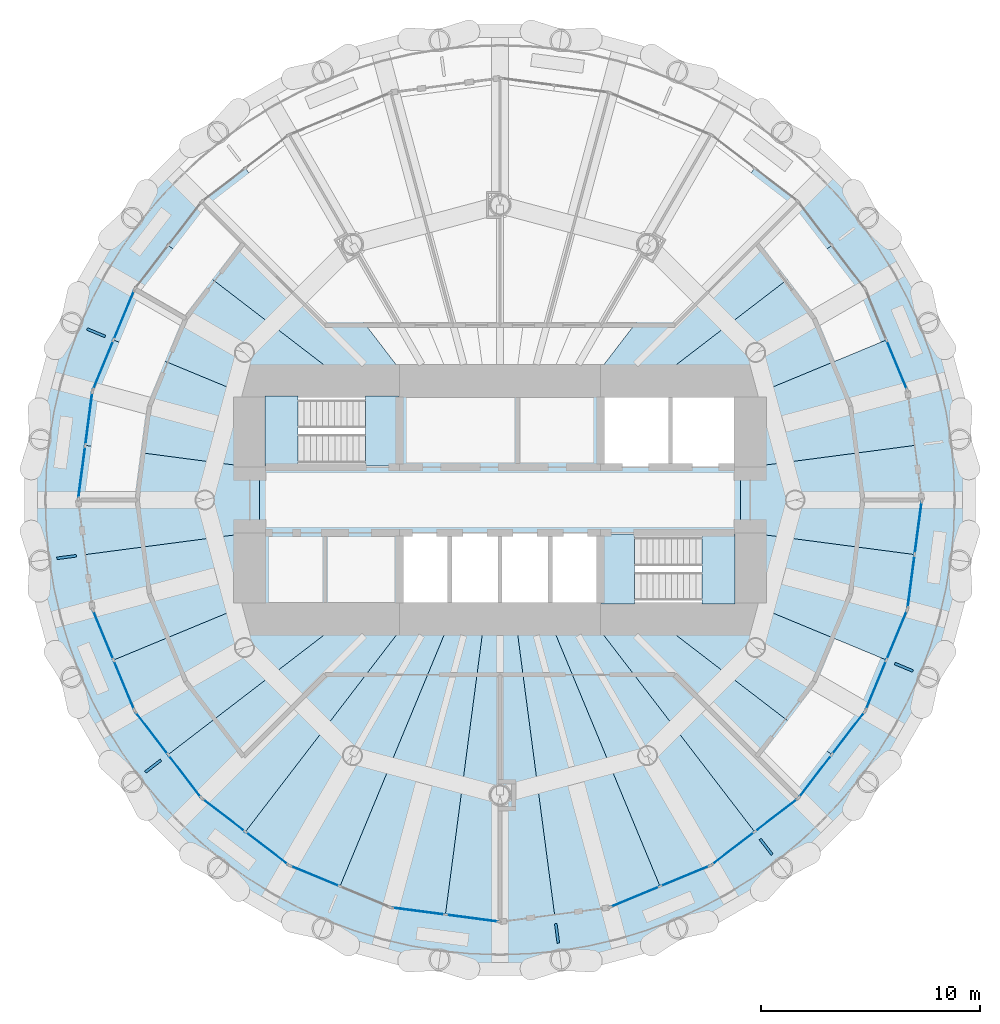
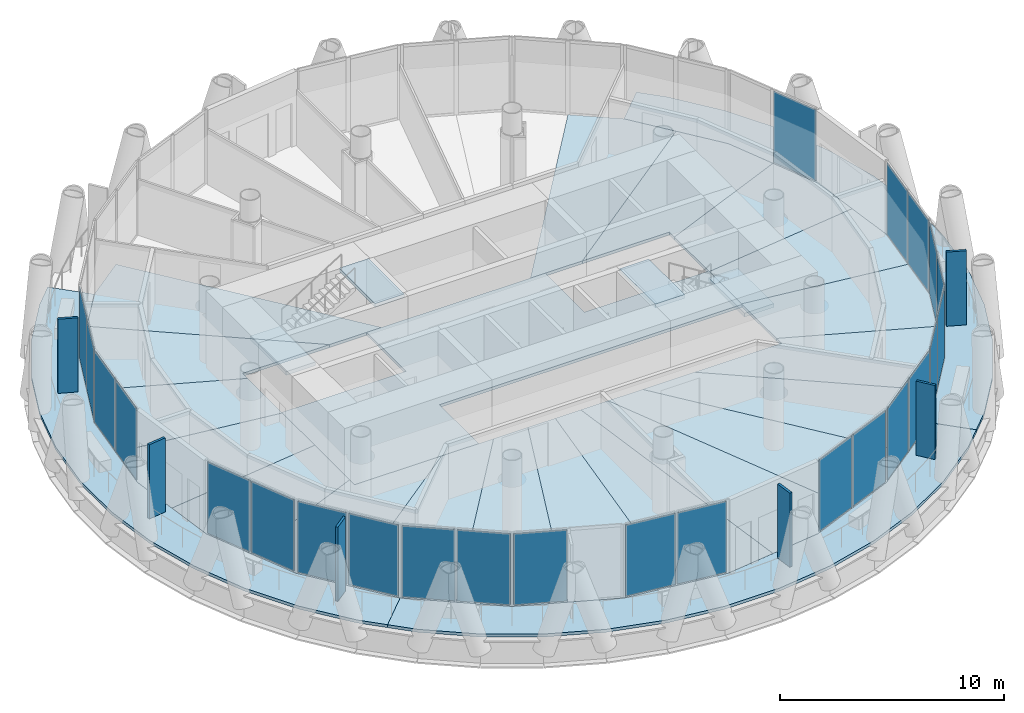
# One storey, part 8 of 15: 30 plates, 27 slabs, 15 elements without a shape of their own.
"""IFC4 building model written with IfcOpenShell, lengths in metres."""

from ifc_helpers import new_model, si_unit, direction, frame, origin, origin_2d, place, context, subcontext, project, spatial, polyline, rectangle, outline, extrude, material, layer, layer_set, type_object, element, aggregate, save


model = new_model("IFC4")

# Units and contexts
model_context = context("Model", 3, precision=1e-05, world=origin(), true_north=direction((0.0, 1.0)))
body_context = subcontext(model_context, "Body", "Model", "MODEL_VIEW")
ifc_project = project(units=[si_unit("LENGTHUNIT", "METRE"), si_unit("AREAUNIT", "SQUARE_METRE"), si_unit("VOLUMEUNIT", "CUBIC_METRE"), si_unit("PLANEANGLEUNIT", "RADIAN"), si_unit("MASSUNIT", "GRAM", prefix="KILO")], contexts=[model_context])

# Site, building, storey
site_placement = place(None, origin())
site = spatial("IfcSite", under=ifc_project, at=site_placement, CompositionType="ELEMENT")
building_placement = place(site_placement, origin())
building = spatial("IfcBuilding", under=site, at=building_placement, Name="Qaws Media Tower", CompositionType="ELEMENT")
storey_placement = place(building_placement, frame((0.0, 0.0, 265.39990234375)))
storey = spatial("IfcBuildingStorey", under=building, at=storey_placement, Name="L61", CompositionType="ELEMENT", Elevation=265.39990234375)

# Slabs
ifc_material_1 = material(Name="Concrete C35/45", Category="concrete")
ifc_layer_1 = layer(ifc_material_1, 0.159912109375)
ifc_layer_set_1 = layer_set([ifc_layer_1], Name="Composite balcony slab 160")
slab_type_1 = type_object("IfcSlabType", Name="Composite balcony slab 160", PredefinedType="FLOOR", material=ifc_layer_set_1)
slab_1_placement = place(storey_placement, frame((0.0, 0.0, -0.159912109375)))
element("IfcSlab", 1, at=slab_1_placement, inside=storey, type_object=slab_type_1, Name="S2 balcony slab L61 R10 to R16, movement joints on R10 and R16", PredefinedType="FLOOR", context=body_context, shape_type="SweptSolid", body=[
    extrude(outline(polyline([(43.83544921875, 35.82421875), (42.123291015625, 38.05517578125), (40.71728515625, 40.49072265625), (39.64111328125, 43.089111328125), (38.9130859375, 45.8056640625), (38.5458984375, 48.59375), (38.5458984375, 51.40625), (38.9130859375, 54.1943359375), (39.64111328125, 56.910888671875), (40.71728515625, 59.50927734375), (42.123291015625, 61.94482421875), (43.83544921875, 64.17578125), (44.829833984375, 65.170166015625), (46.352783203125, 63.647216796875), (43.28564453125, 59.64990234375), (41.357666015625, 54.9951171875), (40.699951171875, 50.0), (41.357666015625, 45.0048828125), (43.28564453125, 40.35009765625), (46.352783203125, 36.352783203125), (44.829833984375, 34.829833984375), (43.83544921875, 35.82421875)])), origin(), (0.0, 0.0, 1.0), 0.159912109375),
])
slab_2_placement = place(storey_placement, frame((0.0, 0.0, -0.159912109375)))
element("IfcSlab", 2, at=slab_2_placement, inside=storey, type_object=slab_type_1, Name="S2 balcony slab L61 R16 to R22, movement joints on R16 and R22", PredefinedType="FLOOR", context=body_context, shape_type="SweptSolid", body=[
    extrude(outline(polyline([(74.17578125, 33.83544921875), (71.94482421875, 32.123291015625), (69.50927734375, 30.71728515625), (66.910888671875, 29.64111328125), (64.1943359375, 28.9130859375), (61.40625, 28.5458984375), (58.59375, 28.5458984375), (55.8056640625, 28.9130859375), (53.089111328125, 29.64111328125), (50.49072265625, 30.71728515625), (48.05517578125, 32.123291015625), (45.82421875, 33.83544921875), (44.829833984375, 34.829833984375), (46.352783203125, 36.352783203125), (50.35009765625, 33.28564453125), (55.0048828125, 31.357666015625), (60.0, 30.699951171875), (64.9951171875, 31.357666015625), (69.64990234375, 33.28564453125), (73.647216796875, 36.352783203125), (75.170166015625, 34.829833984375), (74.17578125, 33.83544921875)])), origin(), (0.0, 0.0, 1.0), 0.159912109375),
])
slab_3_placement = place(storey_placement, frame((0.0, 0.0, -0.159912109375)))
element("IfcSlab", 3, at=slab_3_placement, inside=storey, type_object=slab_type_1, Name="S2 balcony slab L61 R22 to R04, movement joints on R22 and R04", PredefinedType="FLOOR", context=body_context, shape_type="SweptSolid", body=[
    extrude(outline(polyline([(81.0869140625, 45.8056640625), (80.35888671875, 43.089111328125), (79.28271484375, 40.49072265625), (77.876708984375, 38.05517578125), (76.16455078125, 35.82421875), (75.170166015625, 34.829833984375), (73.647216796875, 36.352783203125), (76.71435546875, 40.35009765625), (78.642333984375, 45.0048828125), (79.300048828125, 50.0), (78.642333984375, 54.9951171875), (76.71435546875, 59.64990234375), (73.647216796875, 63.647216796875), (75.170166015625, 65.170166015625), (76.16455078125, 64.17578125), (77.876708984375, 61.94482421875), (79.28271484375, 59.50927734375), (80.35888671875, 56.910888671875), (81.0869140625, 54.1943359375), (81.4541015625, 51.40625), (81.4541015625, 48.59375), (81.0869140625, 45.8056640625)])), origin(), (0.0, 0.0, 1.0), 0.159912109375),
])
ifc_material_2 = material(Name="Concrete C35/45", Category="concrete")
ifc_layer_2 = layer(ifc_material_2, 0.159912109375)
ifc_layer_set_2 = layer_set([ifc_layer_2], Name="Composite floor slab 160")
slab_type_2 = type_object("IfcSlabType", Name="Composite floor slab 160", PredefinedType="FLOOR", material=ifc_layer_set_2)
slab_4_placement = place(storey_placement, frame((0.0, 0.0, -0.159912109375)))
element("IfcSlab", 4, at=slab_4_placement, inside=storey, type_object=slab_type_2, Name="S1 core floor slab L61", PredefinedType="FLOOR", context=body_context, shape_type="SweptSolid", body=[
    extrude(outline(polyline([(71.0, 51.5), (71.0, 48.5), (55.39990234375, 48.5), (55.39990234375, 45.0), (49.0, 45.0), (49.0, 51.5), (55.39990234375, 51.5), (55.39990234375, 55.0), (64.60009765625, 55.0), (64.60009765625, 51.5), (71.0, 51.5)])), origin(), (0.0, 0.0, 1.0), 0.159912109375),
])
slab_5_placement = place(storey_placement, frame((0.0, 0.0, -0.159912109375)))
element("IfcSlab", 5, at=slab_5_placement, inside=storey, type_object=slab_type_2, Name="S1 floor panel L61 on R01", PredefinedType="FLOOR", context=body_context, shape_type="SweptSolid", body=[
    extrude(outline(polyline([(79.300048828125, 50.0), (78.97119140625, 47.50244140625), (71.0, 48.5517578125), (71.0, 51.4482421875), (78.97119140625, 52.49755859375), (79.300048828125, 50.0)])), origin(), (0.0, 0.0, 1.0), 0.159912109375),
])
slab_6_placement = place(storey_placement, frame((0.0, 0.0, -0.159912109375)))
element("IfcSlab", 6, at=slab_6_placement, inside=storey, type_object=slab_type_2, Name="S1 floor panel L61 on R02", PredefinedType="FLOOR", context=body_context, shape_type="SweptSolid", body=[
    extrude(outline(polyline([(78.642333984375, 54.9951171875), (78.97119140625, 52.49755859375), (71.0, 51.4482421875), (71.0, 54.556396484375), (77.67822265625, 57.322509765625), (78.642333984375, 54.9951171875)])), origin(), (0.0, 0.0, 1.0), 0.159912109375),
])
slab_7_placement = place(storey_placement, frame((0.0, 0.0, -0.159912109375)))
element("IfcSlab", 7, at=slab_7_placement, inside=storey, type_object=slab_type_2, Name="S1 floor panel L61 on R03", PredefinedType="FLOOR", context=body_context, shape_type="SweptSolid", body=[
    extrude(outline(polyline([(76.71435546875, 59.64990234375), (77.67822265625, 57.322509765625), (71.0, 54.556396484375), (71.0, 55.0), (66.51611328125, 55.0), (75.1806640625, 61.648681640625), (76.71435546875, 59.64990234375)])), origin(), (0.0, 0.0, 1.0), 0.159912109375),
])
slab_8_placement = place(storey_placement, frame((0.0, 0.0, -0.159912109375)))
element("IfcSlab", 8, at=slab_8_placement, inside=storey, type_object=slab_type_2, Name="S1 floor panel L61 on R04", PredefinedType="FLOOR", context=body_context, shape_type="SweptSolid", body=[
    extrude(outline(polyline([(73.647216796875, 63.647216796875), (75.1806640625, 61.648681640625), (66.51611328125, 55.0), (63.836669921875, 55.0), (71.648681640625, 65.1806640625), (73.647216796875, 63.647216796875)])), origin(), (0.0, 0.0, 1.0), 0.159912109375),
])
slab_9_placement = place(storey_placement, frame((0.0, 0.0, -0.159912109375)))
element("IfcSlab", 9, at=slab_9_placement, inside=storey, type_object=slab_type_2, Name="S1 floor panel L61 on R10", PredefinedType="FLOOR", context=body_context, shape_type="SweptSolid", body=[
    extrude(outline(polyline([(46.352783203125, 63.647216796875), (48.351318359375, 65.1806640625), (56.163330078125, 55.0), (53.48388671875, 55.0), (44.8193359375, 61.648681640625), (46.352783203125, 63.647216796875)])), origin(), (0.0, 0.0, 1.0), 0.159912109375),
])
slab_10_placement = place(storey_placement, frame((0.0, 0.0, -0.159912109375)))
element("IfcSlab", 10, at=slab_10_placement, inside=storey, type_object=slab_type_2, Name="S1 floor panel L61 on R11", PredefinedType="FLOOR", context=body_context, shape_type="SweptSolid", body=[
    extrude(outline(polyline([(43.28564453125, 59.64990234375), (44.8193359375, 61.648681640625), (53.48388671875, 55.0), (49.0, 55.0), (49.0, 54.556396484375), (42.32177734375, 57.322509765625), (43.28564453125, 59.64990234375)])), origin(), (0.0, 0.0, 1.0), 0.159912109375),
])
slab_11_placement = place(storey_placement, frame((0.0, 0.0, -0.159912109375)))
element("IfcSlab", 11, at=slab_11_placement, inside=storey, type_object=slab_type_2, Name="S1 floor panel L61 on R12", PredefinedType="FLOOR", context=body_context, shape_type="SweptSolid", body=[
    extrude(outline(polyline([(41.357666015625, 54.9951171875), (42.32177734375, 57.322509765625), (49.0, 54.556396484375), (49.0, 51.4482421875), (41.02880859375, 52.49755859375), (41.357666015625, 54.9951171875)])), origin(), (0.0, 0.0, 1.0), 0.159912109375),
])
slab_12_placement = place(storey_placement, frame((0.0, 0.0, -0.159912109375)))
element("IfcSlab", 12, at=slab_12_placement, inside=storey, type_object=slab_type_2, Name="S1 floor panel L61 on R13", PredefinedType="FLOOR", context=body_context, shape_type="SweptSolid", body=[
    extrude(outline(polyline([(40.699951171875, 50.0), (41.02880859375, 52.49755859375), (49.0, 51.4482421875), (49.0, 48.5517578125), (41.02880859375, 47.50244140625), (40.699951171875, 50.0)])), origin(), (0.0, 0.0, 1.0), 0.159912109375),
])
slab_13_placement = place(storey_placement, frame((0.0, 0.0, -0.159912109375)))
element("IfcSlab", 13, at=slab_13_placement, inside=storey, type_object=slab_type_2, Name="S1 floor panel L61 on R14", PredefinedType="FLOOR", context=body_context, shape_type="SweptSolid", body=[
    extrude(outline(polyline([(41.357666015625, 45.0048828125), (41.02880859375, 47.50244140625), (49.0, 48.5517578125), (49.0, 45.443603515625), (42.32177734375, 42.677490234375), (41.357666015625, 45.0048828125)])), origin(), (0.0, 0.0, 1.0), 0.159912109375),
])
slab_14_placement = place(storey_placement, frame((0.0, 0.0, -0.159912109375)))
element("IfcSlab", 14, at=slab_14_placement, inside=storey, type_object=slab_type_2, Name="S1 floor panel L61 on R15", PredefinedType="FLOOR", context=body_context, shape_type="SweptSolid", body=[
    extrude(outline(polyline([(43.28564453125, 40.35009765625), (42.32177734375, 42.677490234375), (49.0, 45.443603515625), (49.0, 45.0), (53.48388671875, 45.0), (44.8193359375, 38.351318359375), (43.28564453125, 40.35009765625)])), origin(), (0.0, 0.0, 1.0), 0.159912109375),
])
slab_15_placement = place(storey_placement, frame((0.0, 0.0, -0.159912109375)))
element("IfcSlab", 15, at=slab_15_placement, inside=storey, type_object=slab_type_2, Name="S1 floor panel L61 on R16", PredefinedType="FLOOR", context=body_context, shape_type="SweptSolid", body=[
    extrude(outline(polyline([(46.352783203125, 36.352783203125), (44.8193359375, 38.351318359375), (53.48388671875, 45.0), (56.163330078125, 45.0), (48.351318359375, 34.8193359375), (46.352783203125, 36.352783203125)])), origin(), (0.0, 0.0, 1.0), 0.159912109375),
])
slab_16_placement = place(storey_placement, frame((0.0, 0.0, -0.159912109375)))
element("IfcSlab", 16, at=slab_16_placement, inside=storey, type_object=slab_type_2, Name="S1 floor panel L61 on R17", PredefinedType="FLOOR", context=body_context, shape_type="SweptSolid", body=[
    extrude(outline(polyline([(50.35009765625, 33.28564453125), (48.351318359375, 34.8193359375), (56.163330078125, 45.0), (57.928955078125, 45.0), (52.677490234375, 32.32177734375), (50.35009765625, 33.28564453125)])), origin(), (0.0, 0.0, 1.0), 0.159912109375),
])
slab_17_placement = place(storey_placement, frame((0.0, 0.0, -0.159912109375)))
element("IfcSlab", 17, at=slab_17_placement, inside=storey, type_object=slab_type_2, Name="S1 floor panel L61 on R18", PredefinedType="FLOOR", context=body_context, shape_type="SweptSolid", body=[
    extrude(outline(polyline([(55.0048828125, 31.357666015625), (52.677490234375, 32.32177734375), (57.928955078125, 45.0), (59.341796875, 45.0), (57.50244140625, 31.02880859375), (55.0048828125, 31.357666015625)])), origin(), (0.0, 0.0, 1.0), 0.159912109375),
])
slab_18_placement = place(storey_placement, frame((0.0, 0.0, -0.159912109375)))
element("IfcSlab", 18, at=slab_18_placement, inside=storey, type_object=slab_type_2, Name="S1 floor panel L61 on R19", PredefinedType="FLOOR", context=body_context, shape_type="SweptSolid", body=[
    extrude(outline(polyline([(60.0, 30.699951171875), (57.50244140625, 31.02880859375), (59.341796875, 45.0), (60.658203125, 45.0), (62.49755859375, 31.02880859375), (60.0, 30.699951171875)])), origin(), (0.0, 0.0, 1.0), 0.159912109375),
])
slab_19_placement = place(storey_placement, frame((0.0, 0.0, -0.159912109375)))
element("IfcSlab", 19, at=slab_19_placement, inside=storey, type_object=slab_type_2, Name="S1 floor panel L61 on R20", PredefinedType="FLOOR", context=body_context, shape_type="SweptSolid", body=[
    extrude(outline(polyline([(64.9951171875, 31.357666015625), (62.49755859375, 31.02880859375), (60.658203125, 45.0), (62.071044921875, 45.0), (67.322509765625, 32.32177734375), (64.9951171875, 31.357666015625)])), origin(), (0.0, 0.0, 1.0), 0.159912109375),
])
slab_20_placement = place(storey_placement, frame((0.0, 0.0, -0.159912109375)))
element("IfcSlab", 20, at=slab_20_placement, inside=storey, type_object=slab_type_2, Name="S1 floor panel L61 on R21", PredefinedType="FLOOR", context=body_context, shape_type="SweptSolid", body=[
    extrude(outline(polyline([(69.64990234375, 33.28564453125), (67.322509765625, 32.32177734375), (62.071044921875, 45.0), (63.836669921875, 45.0), (71.648681640625, 34.8193359375), (69.64990234375, 33.28564453125)])), origin(), (0.0, 0.0, 1.0), 0.159912109375),
])
slab_21_placement = place(storey_placement, frame((0.0, 0.0, -0.159912109375)))
element("IfcSlab", 21, at=slab_21_placement, inside=storey, type_object=slab_type_2, Name="S1 floor panel L61 on R22", PredefinedType="FLOOR", context=body_context, shape_type="SweptSolid", body=[
    extrude(outline(polyline([(73.647216796875, 36.352783203125), (71.648681640625, 34.8193359375), (63.836669921875, 45.0), (66.51611328125, 45.0), (75.1806640625, 38.351318359375), (73.647216796875, 36.352783203125)])), origin(), (0.0, 0.0, 1.0), 0.159912109375),
])
slab_22_placement = place(storey_placement, frame((0.0, 0.0, -0.159912109375)))
element("IfcSlab", 22, at=slab_22_placement, inside=storey, type_object=slab_type_2, Name="S1 floor panel L61 on R23", PredefinedType="FLOOR", context=body_context, shape_type="SweptSolid", body=[
    extrude(outline(polyline([(76.71435546875, 40.35009765625), (75.1806640625, 38.351318359375), (66.51611328125, 45.0), (71.0, 45.0), (71.0, 45.443603515625), (77.67822265625, 42.677490234375), (76.71435546875, 40.35009765625)])), origin(), (0.0, 0.0, 1.0), 0.159912109375),
])
slab_23_placement = place(storey_placement, frame((0.0, 0.0, -0.159912109375)))
element("IfcSlab", 23, at=slab_23_placement, inside=storey, type_object=slab_type_2, Name="S1 floor panel L61 on R24", PredefinedType="FLOOR", context=body_context, shape_type="SweptSolid", body=[
    extrude(outline(polyline([(77.67822265625, 42.677490234375), (71.0, 45.443603515625), (71.0, 48.5517578125), (78.97119140625, 47.50244140625), (78.642333984375, 45.0048828125), (77.67822265625, 42.677490234375)])), origin(), (0.0, 0.0, 1.0), 0.159912109375),
])

# Curtain wall, plate
ifc_material_3 = material(Name="Aluminium and clear glass", Category="aluminium")
curtain_wall_type = type_object("IfcCurtainWallType", Name="Unitised curtain wall CW-D", PredefinedType="NOTDEFINED", material=ifc_material_3)
curtain_wall_1_placement = place(storey_placement, origin())
curtain_wall_1 = element("IfcCurtainWall", 24, at=curtain_wall_1_placement, inside=storey, type_object=curtain_wall_type, Name="CWD curtain wall L61-02", PredefinedType="NOTDEFINED")
ifc_material_4 = material(Name="Clear laminated double glazing", Category="glass")
ifc_layer_3 = layer(ifc_material_4, 0.031982421875)
ifc_layer_set_3 = layer_set([ifc_layer_3], Name="Curtain wall glass unit 32")
plate_type_1 = type_object("IfcPlateType", Name="Curtain wall glass unit 32", PredefinedType="CURTAIN_PANEL", material=ifc_layer_set_3)
plate_1_placement = place(storey_placement, frame((78.152587890625, 56.177490234375, 0.080078125), z_axis=(0.0, 0.0, 1.0), x_axis=(-0.382683436364, 0.923879530855, 0.0)))
plate_1 = element("IfcPlate", 25, at=plate_1_placement, type_object=plate_type_1, Name="CWD panel 1.1", PredefinedType="CURTAIN_PANEL", context=body_context, shape_type="SweptSolid", body=[
    extrude(rectangle(XDim=2.399169921875, YDim=0.031982421875, at=origin_2d()), origin(), (0.0, 0.0, 1.0), 3.8798828125),
])
aggregate(curtain_wall_1, [plate_1])

# Curtain wall, plates
curtain_wall_2_placement = place(storey_placement, origin())
curtain_wall_2 = element("IfcCurtainWall", 26, at=curtain_wall_2_placement, inside=storey, type_object=curtain_wall_type, Name="CWD curtain wall L61-11", PredefinedType="NOTDEFINED")
plate_2_placement = place(storey_placement, frame((42.796142578125, 58.4677734375, 0.080078125), z_axis=(0.0, 0.0, 1.0), x_axis=(-0.382683436364, -0.923879530855, 0.0)))
plate_2 = element("IfcPlate", 27, at=plate_2_placement, type_object=plate_type_1, Name="CWD panel 1.1", PredefinedType="CURTAIN_PANEL", context=body_context, shape_type="SweptSolid", body=[
    extrude(rectangle(XDim=2.399169921875, YDim=0.031982421875, at=origin_2d()), origin(), (0.0, 0.0, 1.0), 3.8798828125),
])
plate_3_placement = place(storey_placement, frame((41.847412109375, 56.177490234375, 0.080078125), z_axis=(0.0, 0.0, 1.0), x_axis=(-0.382683436364, -0.923879530855, 0.0)))
plate_3 = element("IfcPlate", 28, at=plate_3_placement, type_object=plate_type_1, Name="CWD panel 2.1", PredefinedType="CURTAIN_PANEL", context=body_context, shape_type="SweptSolid", body=[
    extrude(rectangle(XDim=2.399169921875, YDim=0.031982421875, at=origin_2d()), origin(), (0.0, 0.0, 1.0), 3.8798828125),
])
aggregate(curtain_wall_2, [plate_2, plate_3])

curtain_wall_3_placement = place(storey_placement, origin())
curtain_wall_3 = element("IfcCurtainWall", 29, at=curtain_wall_3_placement, inside=storey, type_object=curtain_wall_type, Name="CWD curtain wall L61-12", PredefinedType="NOTDEFINED")
plate_4_placement = place(storey_placement, frame((41.190673828125, 53.7265625, 0.080078125), z_axis=(0.0, 0.0, 1.0), x_axis=(-0.130526268479, -0.991444851334, 0.0)))
plate_4 = element("IfcPlate", 30, at=plate_4_placement, type_object=plate_type_1, Name="CWD panel 1.1", PredefinedType="CURTAIN_PANEL", context=body_context, shape_type="SweptSolid", body=[
    extrude(rectangle(XDim=2.399169921875, YDim=0.031982421875, at=origin_2d()), origin(), (0.0, 0.0, 1.0), 3.8798828125),
])
plate_5_placement = place(storey_placement, frame((40.866943359375, 51.2685546875, 0.080078125), z_axis=(0.0, 0.0, 1.0), x_axis=(-0.130526268479, -0.991444851334, 0.0)))
plate_5 = element("IfcPlate", 31, at=plate_5_placement, type_object=plate_type_1, Name="CWD panel 2.1", PredefinedType="CURTAIN_PANEL", context=body_context, shape_type="SweptSolid", body=[
    extrude(rectangle(XDim=2.399169921875, YDim=0.031982421875, at=origin_2d()), origin(), (0.0, 0.0, 1.0), 3.8798828125),
])
aggregate(curtain_wall_3, [plate_4, plate_5])

curtain_wall_4_placement = place(storey_placement, origin())
curtain_wall_4 = element("IfcCurtainWall", 32, at=curtain_wall_4_placement, inside=storey, type_object=curtain_wall_type, Name="CWD curtain wall L61-14", PredefinedType="NOTDEFINED")
plate_6_placement = place(storey_placement, frame((41.847412109375, 43.822509765625, 0.080078125), z_axis=(0.0, 0.0, 1.0), x_axis=(0.382683436364, -0.923879530855, 0.0)))
plate_6 = element("IfcPlate", 33, at=plate_6_placement, type_object=plate_type_1, Name="CWD panel 1.1", PredefinedType="CURTAIN_PANEL", context=body_context, shape_type="SweptSolid", body=[
    extrude(rectangle(XDim=2.399169921875, YDim=0.031982421875, at=origin_2d()), origin(), (0.0, 0.0, 1.0), 3.8798828125),
])
plate_7_placement = place(storey_placement, frame((42.796142578125, 41.5322265625, 0.080078125), z_axis=(0.0, 0.0, 1.0), x_axis=(0.382683436364, -0.923879530855, 0.0)))
plate_7 = element("IfcPlate", 34, at=plate_7_placement, type_object=plate_type_1, Name="CWD panel 2.1", PredefinedType="CURTAIN_PANEL", context=body_context, shape_type="SweptSolid", body=[
    extrude(rectangle(XDim=2.399169921875, YDim=0.031982421875, at=origin_2d()), origin(), (0.0, 0.0, 1.0), 3.8798828125),
])
aggregate(curtain_wall_4, [plate_6, plate_7])

curtain_wall_5_placement = place(storey_placement, origin())
curtain_wall_5 = element("IfcCurtainWall", 35, at=curtain_wall_5_placement, inside=storey, type_object=curtain_wall_type, Name="CWD curtain wall L61-15", PredefinedType="NOTDEFINED")
plate_8_placement = place(storey_placement, frame((44.064697265625, 39.3349609375, 0.080078125), z_axis=(0.0, 0.0, 1.0), x_axis=(0.608761365217, -0.79335338924, 0.0)))
plate_8 = element("IfcPlate", 36, at=plate_8_placement, type_object=plate_type_1, Name="CWD panel 1.1", PredefinedType="CURTAIN_PANEL", context=body_context, shape_type="SweptSolid", body=[
    extrude(rectangle(XDim=2.399169921875, YDim=0.031982421875, at=origin_2d()), origin(), (0.0, 0.0, 1.0), 3.8798828125),
])
plate_9_placement = place(storey_placement, frame((45.573974609375, 37.367919921875, 0.080078125), z_axis=(0.0, 0.0, 1.0), x_axis=(0.608761365217, -0.79335338924, 0.0)))
plate_9 = element("IfcPlate", 37, at=plate_9_placement, type_object=plate_type_1, Name="CWD panel 2.1", PredefinedType="CURTAIN_PANEL", context=body_context, shape_type="SweptSolid", body=[
    extrude(rectangle(XDim=2.399169921875, YDim=0.031982421875, at=origin_2d()), origin(), (0.0, 0.0, 1.0), 3.8798828125),
])
aggregate(curtain_wall_5, [plate_8, plate_9])

curtain_wall_6_placement = place(storey_placement, origin())
curtain_wall_6 = element("IfcCurtainWall", 38, at=curtain_wall_6_placement, inside=storey, type_object=curtain_wall_type, Name="CWD curtain wall L61-16", PredefinedType="NOTDEFINED")
plate_10_placement = place(storey_placement, frame((47.367919921875, 35.573974609375, 0.080078125), z_axis=(0.0, 0.0, 1.0), x_axis=(0.79335338924, -0.608761365217, 0.0)))
plate_10 = element("IfcPlate", 39, at=plate_10_placement, type_object=plate_type_1, Name="CWD panel 1.1", PredefinedType="CURTAIN_PANEL", context=body_context, shape_type="SweptSolid", body=[
    extrude(rectangle(XDim=2.399169921875, YDim=0.031982421875, at=origin_2d()), origin(), (0.0, 0.0, 1.0), 3.8798828125),
])
plate_11_placement = place(storey_placement, frame((49.3349609375, 34.064697265625, 0.080078125), z_axis=(0.0, 0.0, 1.0), x_axis=(0.79335338924, -0.608761365217, 0.0)))
plate_11 = element("IfcPlate", 40, at=plate_11_placement, type_object=plate_type_1, Name="CWD panel 2.1", PredefinedType="CURTAIN_PANEL", context=body_context, shape_type="SweptSolid", body=[
    extrude(rectangle(XDim=2.399169921875, YDim=0.031982421875, at=origin_2d()), origin(), (0.0, 0.0, 1.0), 3.8798828125),
])
aggregate(curtain_wall_6, [plate_10, plate_11])

# Curtain wall, plate
curtain_wall_7_placement = place(storey_placement, origin())
curtain_wall_7 = element("IfcCurtainWall", 41, at=curtain_wall_7_placement, inside=storey, type_object=curtain_wall_type, Name="CWD curtain wall L61-17", PredefinedType="NOTDEFINED")
plate_12_placement = place(storey_placement, frame((51.5322265625, 32.796142578125, 0.080078125), z_axis=(0.0, 0.0, 1.0), x_axis=(0.923879530855, -0.382683436364, 0.0)))
plate_12 = element("IfcPlate", 42, at=plate_12_placement, type_object=plate_type_1, Name="CWD panel 1.1", PredefinedType="CURTAIN_PANEL", context=body_context, shape_type="SweptSolid", body=[
    extrude(rectangle(XDim=2.399169921875, YDim=0.031982421875, at=origin_2d()), origin(), (0.0, 0.0, 1.0), 3.8798828125),
])
aggregate(curtain_wall_7, [plate_12])

# Curtain wall, plates
curtain_wall_8_placement = place(storey_placement, origin())
curtain_wall_8 = element("IfcCurtainWall", 43, at=curtain_wall_8_placement, inside=storey, type_object=curtain_wall_type, Name="CWD curtain wall L61-18", PredefinedType="NOTDEFINED")
plate_13_placement = place(storey_placement, frame((56.2734375, 31.190673828125, 0.080078125), z_axis=(0.0, 0.0, 1.0), x_axis=(0.991444851334, -0.130526268479, 0.0)))
plate_13 = element("IfcPlate", 44, at=plate_13_placement, type_object=plate_type_1, Name="CWD panel 1.1", PredefinedType="CURTAIN_PANEL", context=body_context, shape_type="SweptSolid", body=[
    extrude(rectangle(XDim=2.399169921875, YDim=0.031982421875, at=origin_2d()), origin(), (0.0, 0.0, 1.0), 3.8798828125),
])
plate_14_placement = place(storey_placement, frame((58.7314453125, 30.866943359375, 0.080078125), z_axis=(0.0, 0.0, 1.0), x_axis=(0.991444851334, -0.130526268479, 0.0)))
plate_14 = element("IfcPlate", 45, at=plate_14_placement, type_object=plate_type_1, Name="CWD panel 2.1", PredefinedType="CURTAIN_PANEL", context=body_context, shape_type="SweptSolid", body=[
    extrude(rectangle(XDim=2.399169921875, YDim=0.031982421875, at=origin_2d()), origin(), (0.0, 0.0, 1.0), 3.8798828125),
])
aggregate(curtain_wall_8, [plate_13, plate_14])

curtain_wall_9_placement = place(storey_placement, origin())
curtain_wall_9 = element("IfcCurtainWall", 46, at=curtain_wall_9_placement, inside=storey, type_object=curtain_wall_type, Name="CWD curtain wall L61-20", PredefinedType="NOTDEFINED")
plate_15_placement = place(storey_placement, frame((66.177490234375, 31.847412109375, 0.080078125), z_axis=(0.0, 0.0, 1.0), x_axis=(0.923879530855, 0.382683436364, 0.0)))
plate_15 = element("IfcPlate", 47, at=plate_15_placement, type_object=plate_type_1, Name="CWD panel 1.1", PredefinedType="CURTAIN_PANEL", context=body_context, shape_type="SweptSolid", body=[
    extrude(rectangle(XDim=2.399169921875, YDim=0.031982421875, at=origin_2d()), origin(), (0.0, 0.0, 1.0), 3.8798828125),
])
plate_16_placement = place(storey_placement, frame((68.4677734375, 32.796142578125, 0.080078125), z_axis=(0.0, 0.0, 1.0), x_axis=(0.923879530855, 0.382683436364, 0.0)))
plate_16 = element("IfcPlate", 48, at=plate_16_placement, type_object=plate_type_1, Name="CWD panel 2.1", PredefinedType="CURTAIN_PANEL", context=body_context, shape_type="SweptSolid", body=[
    extrude(rectangle(XDim=2.399169921875, YDim=0.031982421875, at=origin_2d()), origin(), (0.0, 0.0, 1.0), 3.8798828125),
])
aggregate(curtain_wall_9, [plate_15, plate_16])

curtain_wall_10_placement = place(storey_placement, origin())
curtain_wall_10 = element("IfcCurtainWall", 49, at=curtain_wall_10_placement, inside=storey, type_object=curtain_wall_type, Name="CWD curtain wall L61-21", PredefinedType="NOTDEFINED")
plate_17_placement = place(storey_placement, frame((70.6650390625, 34.064697265625, 0.080078125), z_axis=(0.0, 0.0, 1.0), x_axis=(0.79335338924, 0.608761365217, 0.0)))
plate_17 = element("IfcPlate", 50, at=plate_17_placement, type_object=plate_type_1, Name="CWD panel 1.1", PredefinedType="CURTAIN_PANEL", context=body_context, shape_type="SweptSolid", body=[
    extrude(rectangle(XDim=2.399169921875, YDim=0.031982421875, at=origin_2d()), origin(), (0.0, 0.0, 1.0), 3.8798828125),
])
plate_18_placement = place(storey_placement, frame((72.632080078125, 35.573974609375, 0.080078125), z_axis=(0.0, 0.0, 1.0), x_axis=(0.79335338924, 0.608761365217, 0.0)))
plate_18 = element("IfcPlate", 51, at=plate_18_placement, type_object=plate_type_1, Name="CWD panel 2.1", PredefinedType="CURTAIN_PANEL", context=body_context, shape_type="SweptSolid", body=[
    extrude(rectangle(XDim=2.399169921875, YDim=0.031982421875, at=origin_2d()), origin(), (0.0, 0.0, 1.0), 3.8798828125),
])
aggregate(curtain_wall_10, [plate_17, plate_18])

curtain_wall_11_placement = place(storey_placement, origin())
curtain_wall_11 = element("IfcCurtainWall", 52, at=curtain_wall_11_placement, inside=storey, type_object=curtain_wall_type, Name="CWD curtain wall L61-22", PredefinedType="NOTDEFINED")
plate_19_placement = place(storey_placement, frame((74.426025390625, 37.367919921875, 0.080078125), z_axis=(0.0, 0.0, 1.0), x_axis=(0.608761365217, 0.79335338924, 0.0)))
plate_19 = element("IfcPlate", 53, at=plate_19_placement, type_object=plate_type_1, Name="CWD panel 1.1", PredefinedType="CURTAIN_PANEL", context=body_context, shape_type="SweptSolid", body=[
    extrude(rectangle(XDim=2.399169921875, YDim=0.031982421875, at=origin_2d()), origin(), (0.0, 0.0, 1.0), 3.8798828125),
])
plate_20_placement = place(storey_placement, frame((75.935302734375, 39.3349609375, 0.080078125), z_axis=(0.0, 0.0, 1.0), x_axis=(0.608761365217, 0.79335338924, 0.0)))
plate_20 = element("IfcPlate", 54, at=plate_20_placement, type_object=plate_type_1, Name="CWD panel 2.1", PredefinedType="CURTAIN_PANEL", context=body_context, shape_type="SweptSolid", body=[
    extrude(rectangle(XDim=2.399169921875, YDim=0.031982421875, at=origin_2d()), origin(), (0.0, 0.0, 1.0), 3.8798828125),
])
aggregate(curtain_wall_11, [plate_19, plate_20])

curtain_wall_12_placement = place(storey_placement, origin())
curtain_wall_12 = element("IfcCurtainWall", 55, at=curtain_wall_12_placement, inside=storey, type_object=curtain_wall_type, Name="CWD curtain wall L61-23", PredefinedType="NOTDEFINED")
plate_21_placement = place(storey_placement, frame((77.203857421875, 41.5322265625, 0.080078125), z_axis=(0.0, 0.0, 1.0), x_axis=(0.382683436364, 0.923879530855, 0.0)))
plate_21 = element("IfcPlate", 56, at=plate_21_placement, type_object=plate_type_1, Name="CWD panel 1.1", PredefinedType="CURTAIN_PANEL", context=body_context, shape_type="SweptSolid", body=[
    extrude(rectangle(XDim=2.399169921875, YDim=0.031982421875, at=origin_2d()), origin(), (0.0, 0.0, 1.0), 3.8798828125),
])
plate_22_placement = place(storey_placement, frame((78.152587890625, 43.822509765625, 0.080078125), z_axis=(0.0, 0.0, 1.0), x_axis=(0.382683436364, 0.923879530855, 0.0)))
plate_22 = element("IfcPlate", 57, at=plate_22_placement, type_object=plate_type_1, Name="CWD panel 2.1", PredefinedType="CURTAIN_PANEL", context=body_context, shape_type="SweptSolid", body=[
    extrude(rectangle(XDim=2.399169921875, YDim=0.031982421875, at=origin_2d()), origin(), (0.0, 0.0, 1.0), 3.8798828125),
])
aggregate(curtain_wall_12, [plate_21, plate_22])

curtain_wall_13_placement = place(storey_placement, origin())
curtain_wall_13 = element("IfcCurtainWall", 58, at=curtain_wall_13_placement, inside=storey, type_object=curtain_wall_type, Name="CWD curtain wall L61-24", PredefinedType="NOTDEFINED")
plate_23_placement = place(storey_placement, frame((78.809326171875, 46.2734375, 0.080078125), z_axis=(0.0, 0.0, 1.0), x_axis=(0.130526268479, 0.991444851334, 0.0)))
plate_23 = element("IfcPlate", 59, at=plate_23_placement, type_object=plate_type_1, Name="CWD panel 1.1", PredefinedType="CURTAIN_PANEL", context=body_context, shape_type="SweptSolid", body=[
    extrude(rectangle(XDim=2.399169921875, YDim=0.031982421875, at=origin_2d()), origin(), (0.0, 0.0, 1.0), 3.8798828125),
])
plate_24_placement = place(storey_placement, frame((79.133056640625, 48.7314453125, 0.080078125), z_axis=(0.0, 0.0, 1.0), x_axis=(0.130526268479, 0.991444851334, 0.0)))
plate_24 = element("IfcPlate", 60, at=plate_24_placement, type_object=plate_type_1, Name="CWD panel 2.1", PredefinedType="CURTAIN_PANEL", context=body_context, shape_type="SweptSolid", body=[
    extrude(rectangle(XDim=2.399169921875, YDim=0.031982421875, at=origin_2d()), origin(), (0.0, 0.0, 1.0), 3.8798828125),
])
aggregate(curtain_wall_13, [plate_23, plate_24])

# Plates
ifc_material_5 = material(Name="Precast concrete screen fin", Category="concrete")
ifc_layer_4 = layer(ifc_material_5, 0.1201171875)
ifc_layer_set_4 = layer_set([ifc_layer_4], Name="Screen fin 120x900")
plate_type_2 = type_object("IfcPlateType", Name="Screen fin 120x900", PredefinedType="USERDEFINED", material=ifc_layer_set_4)
for number, where, z_axis, x_axis, name in (
    (61, (41.5224609375, 57.653564453125, 0.0), (0.0, 0.0, 1.0), (-0.923879532511, 0.382683432365, 0.0), "SCR1 screen fin L61-06"),
    (62, (40.171142578125, 47.389404296875, 0.0), (0.0, 0.0, 1.0), (-0.991444861374, -0.13052619222, 0.0), "SCR1 screen fin L61-07"),
    (63, (44.1328125, 37.82470703125, 0.0), (0.0, 0.0, 1.0), (-0.793353340291, -0.608761429009, 0.0), "SCR1 screen fin L61-08"),
    (64, (62.610595703125, 30.171142578125, 0.0), (0.0, 0.0, 1.0), (0.13052619222, -0.991444861374, 0.0), "SCR1 screen fin L61-10"),
    (65, (72.17529296875, 34.1328125, 0.0), (0.0, 0.0, 1.0), (0.608761429009, -0.793353340291, 0.0), "SCR1 screen fin L61-11"),
    (66, (78.4775390625, 42.346435546875, 0.0), (0.0, 0.0, 1.0), (0.923879532511, -0.382683432365, 0.0), "SCR1 screen fin L61-12"),
):
    element("IfcPlate", number, at=place(storey_placement, frame(where, z_axis=z_axis, x_axis=x_axis)), inside=storey, type_object=plate_type_2, Name=name, ObjectType="SCREEN", PredefinedType="USERDEFINED", context=body_context, shape_type="SweptSolid", body=[
        extrude(rectangle(XDim=0.89990234375, YDim=0.1201171875, at=origin_2d()), origin(), (0.0, 0.0, 1.0), 4.0400390625),
    ])

# Stair, slabs
ifc_material_6 = material(Name="Concrete C40/50", Category="concrete")
stair_type = type_object("IfcStairType", Name="Exit stair", PredefinedType="HALF_TURN_STAIR", material=ifc_material_6)
stair_1_placement = place(storey_placement, origin())
stair_1 = element("IfcStair", 67, at=stair_1_placement, inside=storey, type_object=stair_type, Name="S1 exit stair L61", PredefinedType="HALF_TURN_STAIR")
ifc_material_7 = material(Name="Concrete C40/50", Category="concrete")
ifc_layer_5 = layer(ifc_material_7, 0.199951171875)
ifc_layer_set_5 = layer_set([ifc_layer_5], Name="Stair landing 200")
slab_type_3 = type_object("IfcSlabType", Name="Stair landing 200", PredefinedType="LANDING", material=ifc_layer_set_5)
slab_24_placement = place(storey_placement, frame((0.0, 0.0, 1.900146484375)))
slab_24 = element("IfcSlab", 68, at=slab_24_placement, type_object=slab_type_3, Name="S1 landing 1", PredefinedType="LANDING", context=body_context, shape_type="SweptSolid", body=[
    extrude(outline(polyline([(49.25, 51.550048828125), (50.760009765625, 51.550048828125), (50.760009765625, 54.75), (49.25, 54.75), (49.25, 51.550048828125)])), origin(), (0.0, 0.0, 1.0), 0.199951171875),
])
slab_25_placement = place(storey_placement, frame((0.0, 0.0, 4.0)))
slab_25 = element("IfcSlab", 69, at=slab_25_placement, type_object=slab_type_3, Name="S1 landing 2", PredefinedType="LANDING", context=body_context, shape_type="SweptSolid", body=[
    extrude(outline(polyline([(53.840087890625, 51.550048828125), (55.35009765625, 51.550048828125), (55.35009765625, 54.75), (53.840087890625, 54.75), (53.840087890625, 51.550048828125)])), origin(), (0.0, 0.0, 1.0), 0.2001953125),
])
aggregate(stair_1, [slab_24, slab_25])

stair_2_placement = place(storey_placement, origin())
stair_2 = element("IfcStair", 70, at=stair_2_placement, inside=storey, type_object=stair_type, Name="S2 exit stair L61", PredefinedType="HALF_TURN_STAIR")
slab_26_placement = place(storey_placement, frame((0.0, 0.0, 1.900146484375)))
slab_26 = element("IfcSlab", 71, at=slab_26_placement, type_object=slab_type_3, Name="S2 landing 1", PredefinedType="LANDING", context=body_context, shape_type="SweptSolid", body=[
    extrude(outline(polyline([(69.239990234375, 45.25), (70.75, 45.25), (70.75, 48.449951171875), (69.239990234375, 48.449951171875), (69.239990234375, 45.25)])), origin(), (0.0, 0.0, 1.0), 0.199951171875),
])
slab_27_placement = place(storey_placement, frame((0.0, 0.0, 4.0)))
slab_27 = element("IfcSlab", 72, at=slab_27_placement, type_object=slab_type_3, Name="S2 landing 2", PredefinedType="LANDING", context=body_context, shape_type="SweptSolid", body=[
    extrude(outline(polyline([(64.64990234375, 45.25), (66.159912109375, 45.25), (66.159912109375, 48.449951171875), (64.64990234375, 48.449951171875), (64.64990234375, 45.25)])), origin(), (0.0, 0.0, 1.0), 0.2001953125),
])
aggregate(stair_2, [slab_26, slab_27])

save(model, "model.ifc")
